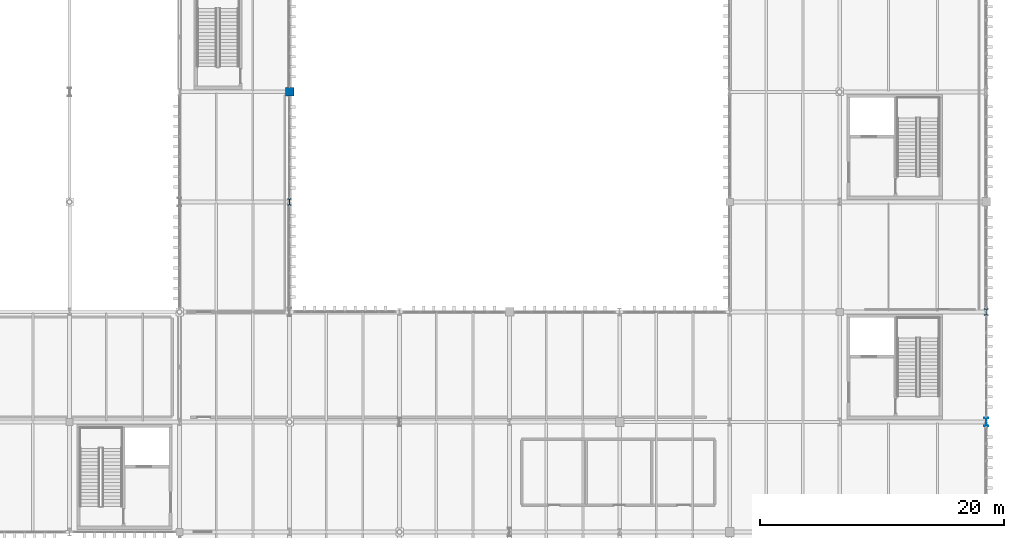
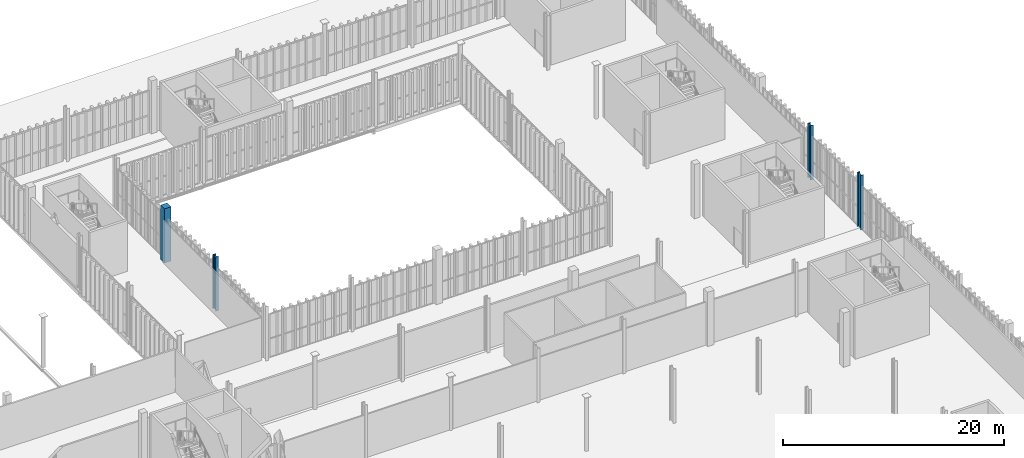
# One storey, part 18 of 237: 4 columns.
"""IFC4 building model written with IfcOpenShell, lengths in metres."""

from ifc_helpers import new_model, si_unit, direction, frame, origin, origin_2d, place, context, subcontext, project, spatial, rectangle, i_section, extrude, material, material_profile, profile_set, type_object, element, save


model = new_model("IFC4")

# Units and contexts
model_context = context("Model", 3, precision=1e-05, world=origin(), true_north=direction((0.0, 1.0)))
body_context = subcontext(model_context, "Body", "Model", "MODEL_VIEW")
ifc_project = project(units=[si_unit("LENGTHUNIT", "METRE"), si_unit("AREAUNIT", "SQUARE_METRE"), si_unit("VOLUMEUNIT", "CUBIC_METRE"), si_unit("PLANEANGLEUNIT", "RADIAN"), si_unit("MASSUNIT", "GRAM", prefix="KILO")], contexts=[model_context])

# Site, building, storey
site_placement = place(None, origin())
site = spatial("IfcSite", under=ifc_project, at=site_placement, CompositionType="ELEMENT")
building_placement = place(site_placement, origin())
building = spatial("IfcBuilding", under=site, at=building_placement, Name="Barlavento Convention Centre", CompositionType="ELEMENT")
storey_placement = place(building_placement, frame((0.0, 0.0, 12.0)))
storey = spatial("IfcBuildingStorey", under=building, at=storey_placement, Name="L02", CompositionType="ELEMENT", Elevation=12.0)

# Columns
ifc_material_1 = material(Name="Steel S355", Category="steel")
ifc_material_profile_1 = material_profile(ifc_material_1, i_section(OverallWidth=0.305908203125, OverallDepth=0.52392578125, WebThickness=0.02099609375, FlangeThickness=0.0400390625, FilletRadius=0.027099609375, at=origin_2d()), Name="HEM 500")
ifc_profile_set_1 = profile_set([ifc_material_profile_1], Name="Steel S355")
column_type_1 = type_object("IfcColumnType", Name="STR-COL-HEM500", PredefinedType="COLUMN", material=ifc_profile_set_1)
for number, where, z_axis, x_axis, name in (
    (1, (135.0, 72.0, 0.0), (0.0, 0.0, 1.0), (1.0, 0.0, 0.0), "L02 column SC07"),
    (2, (192.0, 63.0, 0.0), (0.0, 0.0, 1.0), (1.0, 0.0, 0.0), "L02 column SC07"),
):
    element("IfcColumn", number, at=place(storey_placement, frame(where, z_axis=z_axis, x_axis=x_axis)), inside=storey, type_object=column_type_1, Name=name, PredefinedType="COLUMN", context=body_context, shape_type="SweptSolid", body=[
        extrude(i_section(OverallWidth=0.305908203125, OverallDepth=0.52392578125, WebThickness=0.02099609375, FlangeThickness=0.0400390625, FilletRadius=0.027099609375, at=origin_2d()), origin(), (0.0, 0.0, 1.0), 6.0),
    ])
ifc_material_2 = material(Name="Steel S460", Category="steel")
ifc_material_profile_2 = material_profile(ifc_material_2, i_section(OverallWidth=0.304931640625, OverallDepth=0.66796875, WebThickness=0.02099609375, FlangeThickness=0.0400390625, FilletRadius=0.027099609375, at=origin_2d()), Name="HEM 650")
ifc_profile_set_2 = profile_set([ifc_material_profile_2], Name="Steel S460")
column_type_2 = type_object("IfcColumnType", Name="STR-COL-HEM650", PredefinedType="COLUMN", material=ifc_profile_set_2)
column_1_placement = place(storey_placement, frame((192.0, 54.0, 0.0), z_axis=(0.0, 0.0, 1.0), x_axis=(1.0, 0.0, 0.0)))
element("IfcColumn", 3, at=column_1_placement, inside=storey, type_object=column_type_2, Name="L02 column SC04", PredefinedType="COLUMN", context=body_context, shape_type="SweptSolid", body=[
    extrude(i_section(OverallWidth=0.304931640625, OverallDepth=0.66796875, WebThickness=0.02099609375, FlangeThickness=0.0400390625, FilletRadius=0.027099609375, at=origin_2d()), origin(), (0.0, 0.0, 1.0), 6.0),
])
ifc_material_3 = material(Name="Concrete C40/50", Category="concrete")
ifc_material_profile_3 = material_profile(ifc_material_3, rectangle(XDim=0.699951171875, YDim=0.699951171875, at=origin_2d()), Name="RC 700x700")
ifc_profile_set_3 = profile_set([ifc_material_profile_3], Name="Concrete C40/50")
column_type_3 = type_object("IfcColumnType", Name="STR-COL-RC700", PredefinedType="COLUMN", material=ifc_profile_set_3)
column_2_placement = place(storey_placement, frame((135.0, 81.0, 0.0), z_axis=(0.0, 0.0, 1.0), x_axis=(1.0, 0.0, 0.0)))
element("IfcColumn", 4, at=column_2_placement, inside=storey, type_object=column_type_3, Name="L02 column CC06", PredefinedType="COLUMN", context=body_context, shape_type="SweptSolid", body=[
    extrude(rectangle(XDim=0.699951171875, YDim=0.699951171875, at=origin_2d()), origin(), (0.0, 0.0, 1.0), 6.0),
])

save(model, "model.ifc")
